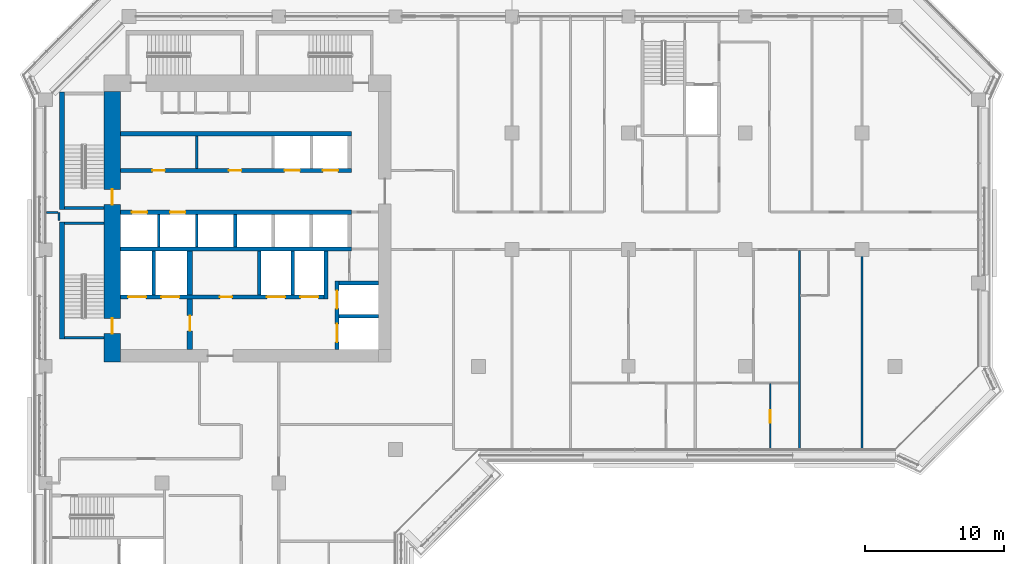
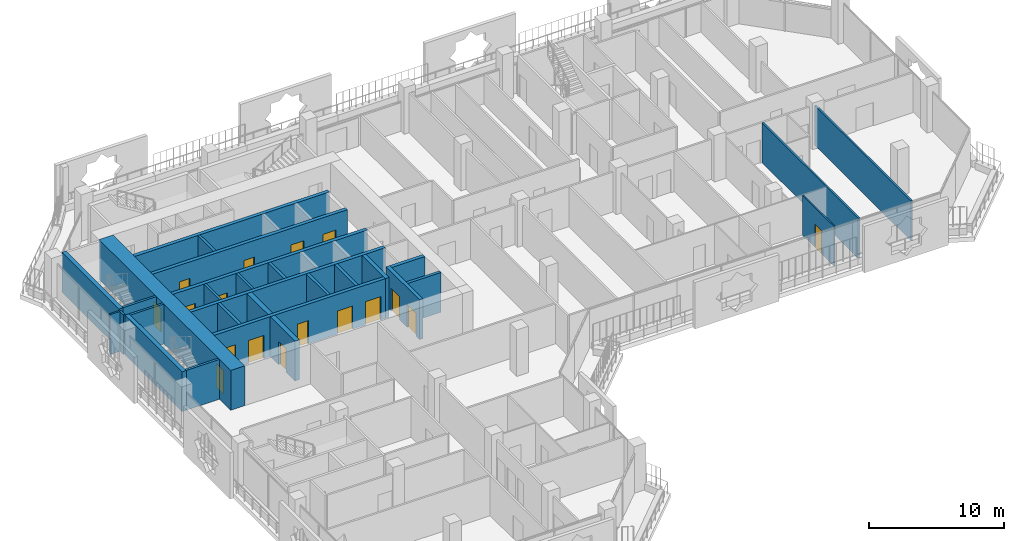
# One storey, part 11 of 22: 29 walls, 17 doors, 17 openings.
"""IFC4 building model written with IfcOpenShell, lengths in metres."""

from ifc_helpers import new_model, si_unit, direction, frame, frame_2d, origin, place, context, subcontext, project, spatial, rectangle, extrude, material, layer, layer_set, type_object, element, fill, save


model = new_model("IFC4")

# Units and contexts
model_context = context("Model", 3, precision=1e-05, world=origin(), true_north=direction((0.0, 1.0)))
body_context = subcontext(model_context, "Body", "Model", "MODEL_VIEW")
ifc_project = project(units=[si_unit("LENGTHUNIT", "METRE"), si_unit("AREAUNIT", "SQUARE_METRE"), si_unit("VOLUMEUNIT", "CUBIC_METRE"), si_unit("PLANEANGLEUNIT", "RADIAN"), si_unit("MASSUNIT", "GRAM", prefix="KILO")], contexts=[model_context])

# Site, building, storey
site_placement = place(None, origin())
site = spatial("IfcSite", under=ifc_project, at=site_placement, CompositionType="ELEMENT")
building_placement = place(site_placement, origin())
building = spatial("IfcBuilding", under=site, at=building_placement, Name="Kawkab Arch Medical Tower", CompositionType="ELEMENT")
storey_placement = place(building_placement, frame((0.0, 0.0, 183.60009765625)))
storey = spatial("IfcBuildingStorey", under=building, at=storey_placement, Name="L42", CompositionType="ELEMENT", Elevation=183.60009765625)

# Wall, openings, doors
ifc_material_1 = material(Name="Concrete C55/67", Category="concrete")
ifc_layer_1 = layer(ifc_material_1, 1.199951171875)
ifc_layer_set_1 = layer_set([ifc_layer_1], Name="Concrete C55/67")
wall_type_1 = type_object("IfcWallType", Name="Core ring wall 1200 C55/67", PredefinedType="SHEAR", material=ifc_layer_set_1)
wall_1_placement = place(storey_placement, frame((4.800048828125, -24.89990234375, 0.0), z_axis=(0.0, 0.0, 1.0), x_axis=(0.0, 1.0, 0.0)))
wall_1 = element("IfcWall", 1, at=wall_1_placement, inside=storey, type_object=wall_type_1, Name="L42 core wall", PredefinedType="SHEAR", context=body_context, shape_type="SweptSolid", body=[
    extrude(rectangle(XDim=19.5, YDim=1.199951171875, at=frame_2d((9.75, 0.0))), origin(), (0.0, 0.0, 1.0), 3.599853515625),
])
opening_1_placement = place(wall_1_placement, frame((11.35009765625, 0.0, 0.0)))
opening_1 = element("IfcOpeningElement", 2, at=opening_1_placement, cuts=wall_1, Name="Opening SD", PredefinedType="OPENING", context=body_context, shape_type="SweptSolid", body=[
    extrude(rectangle(XDim=1.10009765625, YDim=2.10009765625, at=frame_2d((0.550048828125, 1.050048828125))), frame((0.0, 0.60986328125, 0.0), z_axis=(0.0, -1.0, 0.0), x_axis=(1.0, 0.0, 0.0)), (0.0, 0.0, 1.0), 1.219970703125),
])
opening_2_placement = place(wall_1_placement, frame((2.050048828125, 0.0, 0.0)))
opening_2 = element("IfcOpeningElement", 3, at=opening_2_placement, cuts=wall_1, Name="Opening SD", PredefinedType="OPENING", context=body_context, shape_type="SweptSolid", body=[
    extrude(rectangle(XDim=1.10009765625, YDim=2.10009765625, at=frame_2d((0.550048828125, 1.050048828125))), frame((0.0, 0.60986328125, 0.0), z_axis=(0.0, -1.0, 0.0), x_axis=(1.0, 0.0, 0.0)), (0.0, 0.0, 1.0), 1.219970703125),
])
ifc_material_2 = material(Name="Hollow metal fire door leaf")
door_type_1 = type_object("IfcDoorType", Name="Exit stair door 1100", OperationType="SINGLE_SWING_LEFT", PredefinedType="DOOR", material=ifc_material_2)
door_1_placement = place(opening_1_placement, origin())
door_1 = element("IfcDoor", 4, at=door_1_placement, inside=storey, type_object=door_type_1, Name="L42 Exit stair ST1 door", OperationType="SINGLE_SWING_LEFT", OverallHeight=2.10009765625, OverallWidth=1.10009765625, PredefinedType="DOOR", context=body_context, shape_type="SweptSolid", body=[
    extrude(rectangle(XDim=1.10009765625, YDim=2.10009765625, at=frame_2d((0.550048828125, 1.050048828125))), frame((0.0, 0.02490234375, 0.0), z_axis=(0.0, -1.0, 0.0), x_axis=(1.0, 0.0, 0.0)), (0.0, 0.0, 1.0), 0.050048828125),
])
fill(opening_1, door_1)
door_2_placement = place(opening_2_placement, origin())
door_2 = element("IfcDoor", 5, at=door_2_placement, inside=storey, type_object=door_type_1, Name="L42 Exit stair ST2 door", OperationType="SINGLE_SWING_LEFT", OverallHeight=2.10009765625, OverallWidth=1.10009765625, PredefinedType="DOOR", context=body_context, shape_type="SweptSolid", body=[
    extrude(rectangle(XDim=1.10009765625, YDim=2.10009765625, at=frame_2d((0.550048828125, 1.050048828125))), frame((0.0, 0.02490234375, 0.0), z_axis=(0.0, -1.0, 0.0), x_axis=(1.0, 0.0, 0.0)), (0.0, 0.0, 1.0), 0.050048828125),
])
fill(opening_2, door_2)

# Walls
ifc_material_3 = material(Name="Concrete C60/75", Category="concrete")
ifc_layer_2 = layer(ifc_material_3, 0.25)
ifc_layer_set_2 = layer_set([ifc_layer_2], Name="Concrete C60/75")
wall_type_2 = type_object("IfcWallType", Name="Core shear wall 250 C60/75", PredefinedType="SHEAR", material=ifc_layer_set_2)
wall_2_placement = place(storey_placement, frame((21.14990234375, -21.60009765625, 0.0), z_axis=(0.0, 0.0, 1.0), x_axis=(1.0, 0.0, 0.0)))
element("IfcWall", 6, at=wall_2_placement, inside=storey, type_object=wall_type_2, Name="L42 core shear wall", PredefinedType="SHEAR", context=body_context, shape_type="SweptSolid", body=[
    extrude(rectangle(XDim=2.85009765625, YDim=0.25, at=frame_2d((1.425048828125, 0.0))), origin(), (0.0, 0.0, 1.0), 3.599853515625),
])
for number, where, z_axis, x_axis, name in (
    (7, (7.800048828125, -20.050048828125, 0.0), (0.0, 0.0, 1.0), (0.0, 1.0, 0.0), "L42 core shear wall"),
    (8, (15.39990234375, -20.050048828125, 0.0), (0.0, 0.0, 1.0), (0.0, 1.0, 0.0), "L42 core shear wall"),
    (9, (17.800048828125, -20.050048828125, 0.0), (0.0, 0.0, 1.0), (0.0, 1.0, 0.0), "L42 core shear wall"),
):
    element("IfcWall", number, at=place(storey_placement, frame(where, z_axis=z_axis, x_axis=x_axis)), inside=storey, type_object=wall_type_2, Name=name, PredefinedType="SHEAR", context=body_context, shape_type="SweptSolid", body=[
        extrude(rectangle(XDim=3.150146484375, YDim=0.25, at=frame_2d((1.5751953125, 0.0))), origin(), (0.0, 0.0, 1.0), 3.599853515625),
    ])
wall_3_placement = place(storey_placement, frame((13.64990234375, -16.60009765625, 0.0), z_axis=(0.0, 0.0, 1.0), x_axis=(0.0, 1.0, 0.0)))
element("IfcWall", 10, at=wall_3_placement, inside=storey, type_object=wall_type_2, Name="L42 core shear wall", PredefinedType="SHEAR", context=body_context, shape_type="SweptSolid", body=[
    extrude(rectangle(XDim=2.35009765625, YDim=0.25, at=frame_2d((1.175048828125, 0.0))), origin(), (0.0, 0.0, 1.0), 3.599853515625),
])
ifc_material_4 = material(Name="Concrete C60/75", Category="concrete")
ifc_layer_3 = layer(ifc_material_4, 0.300048828125)
ifc_layer_set_3 = layer_set([ifc_layer_3], Name="Concrete C60/75")
wall_type_3 = type_object("IfcWallType", Name="Core shear wall 300 C60/75", PredefinedType="SHEAR", material=ifc_layer_set_3)
wall_4_placement = place(storey_placement, frame((5.39990234375, -8.449951171875, 0.0), z_axis=(0.0, 0.0, 1.0), x_axis=(1.0, 0.0, 0.0)))
element("IfcWall", 11, at=wall_4_placement, inside=storey, type_object=wall_type_3, Name="L42 core shear wall", PredefinedType="SHEAR", context=body_context, shape_type="SweptSolid", body=[
    extrude(rectangle(XDim=16.650146484375, YDim=0.300048828125, at=frame_2d((8.3251953125, 0.0))), origin(), (0.0, 0.0, 1.0), 3.599853515625),
])

# Wall, openings, doors
wall_5_placement = place(storey_placement, frame((5.39990234375, -11.10009765625, 0.0), z_axis=(0.0, 0.0, 1.0), x_axis=(1.0, 0.0, 0.0)))
wall_5 = element("IfcWall", 12, at=wall_5_placement, inside=storey, type_object=wall_type_3, Name="L42 core shear wall", PredefinedType="SHEAR", context=body_context, shape_type="SweptSolid", body=[
    extrude(rectangle(XDim=16.650146484375, YDim=0.300048828125, at=frame_2d((8.3251953125, 0.0))), origin(), (0.0, 0.0, 1.0), 3.599853515625),
])
opening_3_placement = place(wall_5_placement, frame((11.824951171875, 0.0, 0.0)))
opening_3 = element("IfcOpeningElement", 13, at=opening_3_placement, cuts=wall_5, Name="Opening LD1", PredefinedType="OPENING", context=body_context, shape_type="SweptSolid", body=[
    extrude(rectangle(XDim=1.10009765625, YDim=2.10009765625, at=frame_2d((0.550048828125, 1.050048828125))), frame((0.0, 0.159912109375, 0.0), z_axis=(0.0, -1.0, 0.0), x_axis=(1.0, 0.0, 0.0)), (0.0, 0.0, 1.0), 0.320068359375),
])
opening_4_placement = place(wall_5_placement, frame((14.574951171875, 0.0, 0.0)))
opening_4 = element("IfcOpeningElement", 14, at=opening_4_placement, cuts=wall_5, Name="Opening LD1", PredefinedType="OPENING", context=body_context, shape_type="SweptSolid", body=[
    extrude(rectangle(XDim=1.10009765625, YDim=2.10009765625, at=frame_2d((0.550048828125, 1.050048828125))), frame((0.0, 0.159912109375, 0.0), z_axis=(0.0, -1.0, 0.0), x_axis=(1.0, 0.0, 0.0)), (0.0, 0.0, 1.0), 0.320068359375),
])
opening_5_placement = place(wall_5_placement, frame((2.300048828125, 0.0, 0.0)))
opening_5 = element("IfcOpeningElement", 15, at=opening_5_placement, cuts=wall_5, Name="Opening RD", PredefinedType="OPENING", context=body_context, shape_type="SweptSolid", body=[
    extrude(rectangle(XDim=0.89990234375, YDim=2.10009765625, at=frame_2d((0.449951171875, 1.050048828125))), frame((0.0, 0.159912109375, 0.0), z_axis=(0.0, -1.0, 0.0), x_axis=(1.0, 0.0, 0.0)), (0.0, 0.0, 1.0), 0.320068359375),
])
opening_6_placement = place(wall_5_placement, frame((7.800048828125, 0.0, 0.0)))
opening_6 = element("IfcOpeningElement", 16, at=opening_6_placement, cuts=wall_5, Name="Opening RD", PredefinedType="OPENING", context=body_context, shape_type="SweptSolid", body=[
    extrude(rectangle(XDim=0.89990234375, YDim=2.10009765625, at=frame_2d((0.449951171875, 1.050048828125))), frame((0.0, 0.159912109375, 0.0), z_axis=(0.0, -1.0, 0.0), x_axis=(1.0, 0.0, 0.0)), (0.0, 0.0, 1.0), 0.320068359375),
])
ifc_material_5 = material(Name="Hollow metal fire door leaf")
door_type_2 = type_object("IfcDoorType", Name="Core room door 900", OperationType="SINGLE_SWING_LEFT", PredefinedType="DOOR", material=ifc_material_5)
door_3_placement = place(opening_5_placement, origin())
door_3 = element("IfcDoor", 17, at=door_3_placement, inside=storey, type_object=door_type_2, Name="L42 Ward pantry door", OperationType="SINGLE_SWING_LEFT", OverallHeight=2.10009765625, OverallWidth=0.89990234375, PredefinedType="DOOR", context=body_context, shape_type="SweptSolid", body=[
    extrude(rectangle(XDim=0.89990234375, YDim=2.10009765625, at=frame_2d((0.449951171875, 1.050048828125))), frame((0.0, 0.02490234375, 0.0), z_axis=(0.0, -1.0, 0.0), x_axis=(1.0, 0.0, 0.0)), (0.0, 0.0, 1.0), 0.050048828125),
])
fill(opening_5, door_3)
door_4_placement = place(opening_6_placement, origin())
door_4 = element("IfcDoor", 18, at=door_4_placement, inside=storey, type_object=door_type_2, Name="L42 Comms room door", OperationType="SINGLE_SWING_LEFT", OverallHeight=2.10009765625, OverallWidth=0.89990234375, PredefinedType="DOOR", context=body_context, shape_type="SweptSolid", body=[
    extrude(rectangle(XDim=0.89990234375, YDim=2.10009765625, at=frame_2d((0.449951171875, 1.050048828125))), frame((0.0, 0.02490234375, 0.0), z_axis=(0.0, -1.0, 0.0), x_axis=(1.0, 0.0, 0.0)), (0.0, 0.0, 1.0), 0.050048828125),
])
fill(opening_6, door_4)
ifc_material_6 = material(Name="Stainless steel lift door leaf", Category="steel")
door_type_3 = type_object("IfcDoorType", Name="Lift landing door 1100", OperationType="DOUBLE_DOOR_SLIDING", PredefinedType="DOOR", material=ifc_material_6)
door_5_placement = place(opening_3_placement, origin())
door_5 = element("IfcDoor", 19, at=door_5_placement, inside=storey, type_object=door_type_3, Name="L42 Lift landing door MP1", OperationType="DOUBLE_DOOR_SLIDING", OverallHeight=2.10009765625, OverallWidth=1.10009765625, PredefinedType="DOOR", context=body_context, shape_type="SweptSolid", body=[
    extrude(rectangle(XDim=1.10009765625, YDim=2.10009765625, at=frame_2d((0.550048828125, 1.050048828125))), frame((0.0, 0.02490234375, 0.0), z_axis=(0.0, -1.0, 0.0), x_axis=(1.0, 0.0, 0.0)), (0.0, 0.0, 1.0), 0.050048828125),
])
fill(opening_3, door_5)
door_6_placement = place(opening_4_placement, origin())
door_6 = element("IfcDoor", 20, at=door_6_placement, inside=storey, type_object=door_type_3, Name="L42 Lift landing door MP2", OperationType="DOUBLE_DOOR_SLIDING", OverallHeight=2.10009765625, OverallWidth=1.10009765625, PredefinedType="DOOR", context=body_context, shape_type="SweptSolid", body=[
    extrude(rectangle(XDim=1.10009765625, YDim=2.10009765625, at=frame_2d((0.550048828125, 1.050048828125))), frame((0.0, 0.02490234375, 0.0), z_axis=(0.0, -1.0, 0.0), x_axis=(1.0, 0.0, 0.0)), (0.0, 0.0, 1.0), 0.050048828125),
])
fill(opening_4, door_6)

wall_6_placement = place(storey_placement, frame((5.39990234375, -14.10009765625, 0.0), z_axis=(0.0, 0.0, 1.0), x_axis=(1.0, 0.0, 0.0)))
wall_6 = element("IfcWall", 21, at=wall_6_placement, inside=storey, type_object=wall_type_3, Name="L42 core shear wall", PredefinedType="SHEAR", context=body_context, shape_type="SweptSolid", body=[
    extrude(rectangle(XDim=16.650146484375, YDim=0.300048828125, at=frame_2d((8.3251953125, 0.0))), origin(), (0.0, 0.0, 1.0), 3.599853515625),
])
opening_7_placement = place(wall_6_placement, frame((0.824951171875, 0.0, 0.0)))
opening_7 = element("IfcOpeningElement", 22, at=opening_7_placement, cuts=wall_6, Name="Opening LD1", PredefinedType="OPENING", context=body_context, shape_type="SweptSolid", body=[
    extrude(rectangle(XDim=1.10009765625, YDim=2.10009765625, at=frame_2d((0.550048828125, 1.050048828125))), frame((0.0, 0.159912109375, 0.0), z_axis=(0.0, -1.0, 0.0), x_axis=(1.0, 0.0, 0.0)), (0.0, 0.0, 1.0), 0.320068359375),
])
opening_8_placement = place(wall_6_placement, frame((3.574951171875, 0.0, 0.0)))
opening_8 = element("IfcOpeningElement", 23, at=opening_8_placement, cuts=wall_6, Name="Opening LD1", PredefinedType="OPENING", context=body_context, shape_type="SweptSolid", body=[
    extrude(rectangle(XDim=1.10009765625, YDim=2.10009765625, at=frame_2d((0.550048828125, 1.050048828125))), frame((0.0, 0.159912109375, 0.0), z_axis=(0.0, -1.0, 0.0), x_axis=(1.0, 0.0, 0.0)), (0.0, 0.0, 1.0), 0.320068359375),
])
door_7_placement = place(opening_7_placement, origin())
door_7 = element("IfcDoor", 24, at=door_7_placement, inside=storey, type_object=door_type_3, Name="L42 Lift landing door MP3", OperationType="DOUBLE_DOOR_SLIDING", OverallHeight=2.10009765625, OverallWidth=1.10009765625, PredefinedType="DOOR", context=body_context, shape_type="SweptSolid", body=[
    extrude(rectangle(XDim=1.10009765625, YDim=2.10009765625, at=frame_2d((0.550048828125, 1.050048828125))), frame((0.0, 0.02490234375, 0.0), z_axis=(0.0, -1.0, 0.0), x_axis=(1.0, 0.0, 0.0)), (0.0, 0.0, 1.0), 0.050048828125),
])
fill(opening_7, door_7)
door_8_placement = place(opening_8_placement, origin())
door_8 = element("IfcDoor", 25, at=door_8_placement, inside=storey, type_object=door_type_3, Name="L42 Lift landing door MP4", OperationType="DOUBLE_DOOR_SLIDING", OverallHeight=2.10009765625, OverallWidth=1.10009765625, PredefinedType="DOOR", context=body_context, shape_type="SweptSolid", body=[
    extrude(rectangle(XDim=1.10009765625, YDim=2.10009765625, at=frame_2d((0.550048828125, 1.050048828125))), frame((0.0, 0.02490234375, 0.0), z_axis=(0.0, -1.0, 0.0), x_axis=(1.0, 0.0, 0.0)), (0.0, 0.0, 1.0), 0.050048828125),
])
fill(opening_8, door_8)

# Wall
wall_7_placement = place(storey_placement, frame((5.39990234375, -16.75, 0.0), z_axis=(0.0, 0.0, 1.0), x_axis=(1.0, 0.0, 0.0)))
element("IfcWall", 26, at=wall_7_placement, inside=storey, type_object=wall_type_3, Name="L42 core shear wall", PredefinedType="SHEAR", context=body_context, shape_type="SweptSolid", body=[
    extrude(rectangle(XDim=16.650146484375, YDim=0.300048828125, at=frame_2d((8.3251953125, 0.0))), origin(), (0.0, 0.0, 1.0), 3.599853515625),
])

# Wall, openings, doors
wall_8_placement = place(storey_placement, frame((5.39990234375, -20.199951171875, 0.0), z_axis=(0.0, 0.0, 1.0), x_axis=(1.0, 0.0, 0.0)))
wall_8 = element("IfcWall", 27, at=wall_8_placement, inside=storey, type_object=wall_type_3, Name="L42 core shear wall", PredefinedType="SHEAR", context=body_context, shape_type="SweptSolid", body=[
    extrude(rectangle(XDim=14.650146484375, YDim=0.300048828125, at=frame_2d((7.3251953125, 0.0))), origin(), (0.0, 0.0, 1.0), 3.599853515625),
])
opening_9_placement = place(wall_8_placement, frame((10.550048828125, 0.0, 0.0)))
opening_9 = element("IfcOpeningElement", 28, at=opening_9_placement, cuts=wall_8, Name="Opening LD2", PredefinedType="OPENING", context=body_context, shape_type="SweptSolid", body=[
    extrude(rectangle(XDim=1.300048828125, YDim=2.10009765625, at=frame_2d((0.64990234375, 1.050048828125))), frame((0.0, 0.159912109375, 0.0), z_axis=(0.0, -1.0, 0.0), x_axis=(1.0, 0.0, 0.0)), (0.0, 0.0, 1.0), 0.320068359375),
])
opening_10_placement = place(wall_8_placement, frame((12.949951171875, 0.0, 0.0)))
opening_10 = element("IfcOpeningElement", 29, at=opening_10_placement, cuts=wall_8, Name="Opening LD2", PredefinedType="OPENING", context=body_context, shape_type="SweptSolid", body=[
    extrude(rectangle(XDim=1.300048828125, YDim=2.10009765625, at=frame_2d((0.64990234375, 1.050048828125))), frame((0.0, 0.159912109375, 0.0), z_axis=(0.0, -1.0, 0.0), x_axis=(1.0, 0.0, 0.0)), (0.0, 0.0, 1.0), 0.320068359375),
])
opening_11_placement = place(wall_8_placement, frame((0.550048828125, 0.0, 0.0)))
opening_11 = element("IfcOpeningElement", 30, at=opening_11_placement, cuts=wall_8, Name="Opening LD2", PredefinedType="OPENING", context=body_context, shape_type="SweptSolid", body=[
    extrude(rectangle(XDim=1.300048828125, YDim=2.10009765625, at=frame_2d((0.64990234375, 1.050048828125))), frame((0.0, 0.159912109375, 0.0), z_axis=(0.0, -1.0, 0.0), x_axis=(1.0, 0.0, 0.0)), (0.0, 0.0, 1.0), 0.320068359375),
])
opening_12_placement = place(wall_8_placement, frame((2.949951171875, 0.0, 0.0)))
opening_12 = element("IfcOpeningElement", 31, at=opening_12_placement, cuts=wall_8, Name="Opening LD2", PredefinedType="OPENING", context=body_context, shape_type="SweptSolid", body=[
    extrude(rectangle(XDim=1.300048828125, YDim=2.10009765625, at=frame_2d((0.64990234375, 1.050048828125))), frame((0.0, 0.159912109375, 0.0), z_axis=(0.0, -1.0, 0.0), x_axis=(1.0, 0.0, 0.0)), (0.0, 0.0, 1.0), 0.320068359375),
])
opening_13_placement = place(wall_8_placement, frame((7.14990234375, 0.0, 0.0)))
opening_13 = element("IfcOpeningElement", 32, at=opening_13_placement, cuts=wall_8, Name="Opening RD", PredefinedType="OPENING", context=body_context, shape_type="SweptSolid", body=[
    extrude(rectangle(XDim=0.89990234375, YDim=2.10009765625, at=frame_2d((0.449951171875, 1.050048828125))), frame((0.0, 0.159912109375, 0.0), z_axis=(0.0, -1.0, 0.0), x_axis=(1.0, 0.0, 0.0)), (0.0, 0.0, 1.0), 0.320068359375),
])
door_9_placement = place(opening_13_placement, origin())
door_9 = element("IfcDoor", 33, at=door_9_placement, inside=storey, type_object=door_type_2, Name="L42 Housekeeping store door", OperationType="SINGLE_SWING_LEFT", OverallHeight=2.10009765625, OverallWidth=0.89990234375, PredefinedType="DOOR", context=body_context, shape_type="SweptSolid", body=[
    extrude(rectangle(XDim=0.89990234375, YDim=2.10009765625, at=frame_2d((0.449951171875, 1.050048828125))), frame((0.0, 0.02490234375, 0.0), z_axis=(0.0, -1.0, 0.0), x_axis=(1.0, 0.0, 0.0)), (0.0, 0.0, 1.0), 0.050048828125),
])
fill(opening_13, door_9)
ifc_material_7 = material(Name="Stainless steel lift door leaf", Category="steel")
door_type_4 = type_object("IfcDoorType", Name="Lift landing door 1300", OperationType="DOUBLE_DOOR_SLIDING", PredefinedType="DOOR", material=ifc_material_7)
door_10_placement = place(opening_9_placement, origin())
door_10 = element("IfcDoor", 34, at=door_10_placement, inside=storey, type_object=door_type_4, Name="L42 Lift landing door BD3", OperationType="DOUBLE_DOOR_SLIDING", OverallHeight=2.10009765625, OverallWidth=1.300048828125, PredefinedType="DOOR", context=body_context, shape_type="SweptSolid", body=[
    extrude(rectangle(XDim=1.300048828125, YDim=2.10009765625, at=frame_2d((0.64990234375, 1.050048828125))), frame((0.0, 0.02490234375, 0.0), z_axis=(0.0, -1.0, 0.0), x_axis=(1.0, 0.0, 0.0)), (0.0, 0.0, 1.0), 0.050048828125),
])
fill(opening_9, door_10)
door_11_placement = place(opening_10_placement, origin())
door_11 = element("IfcDoor", 35, at=door_11_placement, inside=storey, type_object=door_type_4, Name="L42 Lift landing door BD4", OperationType="DOUBLE_DOOR_SLIDING", OverallHeight=2.10009765625, OverallWidth=1.300048828125, PredefinedType="DOOR", context=body_context, shape_type="SweptSolid", body=[
    extrude(rectangle(XDim=1.300048828125, YDim=2.10009765625, at=frame_2d((0.64990234375, 1.050048828125))), frame((0.0, 0.02490234375, 0.0), z_axis=(0.0, -1.0, 0.0), x_axis=(1.0, 0.0, 0.0)), (0.0, 0.0, 1.0), 0.050048828125),
])
fill(opening_10, door_11)
door_12_placement = place(opening_11_placement, origin())
door_12 = element("IfcDoor", 36, at=door_12_placement, inside=storey, type_object=door_type_4, Name="L42 Lift landing door FL1", OperationType="DOUBLE_DOOR_SLIDING", OverallHeight=2.10009765625, OverallWidth=1.300048828125, PredefinedType="DOOR", context=body_context, shape_type="SweptSolid", body=[
    extrude(rectangle(XDim=1.300048828125, YDim=2.10009765625, at=frame_2d((0.64990234375, 1.050048828125))), frame((0.0, 0.02490234375, 0.0), z_axis=(0.0, -1.0, 0.0), x_axis=(1.0, 0.0, 0.0)), (0.0, 0.0, 1.0), 0.050048828125),
])
fill(opening_11, door_12)
door_13_placement = place(opening_12_placement, origin())
door_13 = element("IfcDoor", 37, at=door_13_placement, inside=storey, type_object=door_type_4, Name="L42 Lift landing door FL2", OperationType="DOUBLE_DOOR_SLIDING", OverallHeight=2.10009765625, OverallWidth=1.300048828125, PredefinedType="DOOR", context=body_context, shape_type="SweptSolid", body=[
    extrude(rectangle(XDim=1.300048828125, YDim=2.10009765625, at=frame_2d((0.64990234375, 1.050048828125))), frame((0.0, 0.02490234375, 0.0), z_axis=(0.0, -1.0, 0.0), x_axis=(1.0, 0.0, 0.0)), (0.0, 0.0, 1.0), 0.050048828125),
])
fill(opening_12, door_13)

# Walls
wall_9_placement = place(storey_placement, frame((20.199951171875, -20.35009765625, 0.0), z_axis=(0.0, 0.0, 1.0), x_axis=(0.0, 1.0, 0.0)))
element("IfcWall", 38, at=wall_9_placement, inside=storey, type_object=wall_type_3, Name="L42 core shear wall", PredefinedType="SHEAR", context=body_context, shape_type="SweptSolid", body=[
    extrude(rectangle(XDim=3.4501953125, YDim=0.300048828125, at=frame_2d((1.72509765625, 0.0))), origin(), (0.0, 0.0, 1.0), 3.599853515625),
])
wall_10_placement = place(storey_placement, frame((21.14990234375, -19.199951171875, 0.0), z_axis=(0.0, 0.0, 1.0), x_axis=(1.0, 0.0, 0.0)))
element("IfcWall", 39, at=wall_10_placement, inside=storey, type_object=wall_type_3, Name="L42 core shear wall", PredefinedType="SHEAR", context=body_context, shape_type="SweptSolid", body=[
    extrude(rectangle(XDim=2.85009765625, YDim=0.300048828125, at=frame_2d((1.425048828125, 0.0))), origin(), (0.0, 0.0, 1.0), 3.599853515625),
])

# Wall, openings, doors
wall_11_placement = place(storey_placement, frame((21.0, -24.0, 0.0), z_axis=(0.0, 0.0, 1.0), x_axis=(0.0, 1.0, 0.0)))
wall_11 = element("IfcWall", 40, at=wall_11_placement, inside=storey, type_object=wall_type_3, Name="L42 core shear wall", PredefinedType="SHEAR", context=body_context, shape_type="SweptSolid", body=[
    extrude(rectangle(XDim=4.949951171875, YDim=0.300048828125, at=frame_2d((2.47509765625, 0.0))), origin(), (0.0, 0.0, 1.0), 3.599853515625),
])
opening_14_placement = place(wall_11_placement, frame((2.949951171875, 0.0, 0.0)))
opening_14 = element("IfcOpeningElement", 41, at=opening_14_placement, cuts=wall_11, Name="Opening LD2", PredefinedType="OPENING", context=body_context, shape_type="SweptSolid", body=[
    extrude(rectangle(XDim=1.300048828125, YDim=2.10009765625, at=frame_2d((0.64990234375, 1.050048828125))), frame((0.0, 0.159912109375, 0.0), z_axis=(0.0, -1.0, 0.0), x_axis=(1.0, 0.0, 0.0)), (0.0, 0.0, 1.0), 0.320068359375),
])
opening_15_placement = place(wall_11_placement, frame((0.550048828125, 0.0, 0.0)))
opening_15 = element("IfcOpeningElement", 42, at=opening_15_placement, cuts=wall_11, Name="Opening LD2", PredefinedType="OPENING", context=body_context, shape_type="SweptSolid", body=[
    extrude(rectangle(XDim=1.300048828125, YDim=2.10009765625, at=frame_2d((0.64990234375, 1.050048828125))), frame((0.0, 0.159912109375, 0.0), z_axis=(0.0, -1.0, 0.0), x_axis=(1.0, 0.0, 0.0)), (0.0, 0.0, 1.0), 0.320068359375),
])
door_14_placement = place(opening_14_placement, origin())
door_14 = element("IfcDoor", 43, at=door_14_placement, inside=storey, type_object=door_type_4, Name="L42 Lift landing door BD1", OperationType="DOUBLE_DOOR_SLIDING", OverallHeight=2.10009765625, OverallWidth=1.300048828125, PredefinedType="DOOR", context=body_context, shape_type="SweptSolid", body=[
    extrude(rectangle(XDim=1.300048828125, YDim=2.10009765625, at=frame_2d((0.64990234375, 1.050048828125))), frame((0.0, 0.02490234375, 0.0), z_axis=(0.0, -1.0, 0.0), x_axis=(1.0, 0.0, 0.0)), (0.0, 0.0, 1.0), 0.050048828125),
])
fill(opening_14, door_14)
door_15_placement = place(opening_15_placement, origin())
door_15 = element("IfcDoor", 44, at=door_15_placement, inside=storey, type_object=door_type_4, Name="L42 Lift landing door BD2", OperationType="DOUBLE_DOOR_SLIDING", OverallHeight=2.10009765625, OverallWidth=1.300048828125, PredefinedType="DOOR", context=body_context, shape_type="SweptSolid", body=[
    extrude(rectangle(XDim=1.300048828125, YDim=2.10009765625, at=frame_2d((0.64990234375, 1.050048828125))), frame((0.0, 0.02490234375, 0.0), z_axis=(0.0, -1.0, 0.0), x_axis=(1.0, 0.0, 0.0)), (0.0, 0.0, 1.0), 0.050048828125),
])
fill(opening_15, door_15)

# Wall, opening, door
ifc_material_8 = material(Name="Concrete C60/75", Category="concrete")
ifc_layer_4 = layer(ifc_material_8, 0.39990234375)
ifc_layer_set_4 = layer_set([ifc_layer_4], Name="Concrete C60/75")
wall_type_4 = type_object("IfcWallType", Name="Core shear wall 400 C60/75", PredefinedType="SHEAR", material=ifc_layer_set_4)
wall_12_placement = place(storey_placement, frame((10.39990234375, -24.0, 0.0), z_axis=(0.0, 0.0, 1.0), x_axis=(0.0, 1.0, 0.0)))
wall_12 = element("IfcWall", 45, at=wall_12_placement, inside=storey, type_object=wall_type_4, Name="L42 core shear wall", PredefinedType="SHEAR", context=body_context, shape_type="SweptSolid", body=[
    extrude(rectangle(XDim=3.64990234375, YDim=0.39990234375, at=frame_2d((1.824951171875, 0.0))), origin(), (0.0, 0.0, 1.0), 3.599853515625),
])
opening_16_placement = place(wall_12_placement, frame((1.35009765625, 0.0, 0.0)))
opening_16 = element("IfcOpeningElement", 46, at=opening_16_placement, cuts=wall_12, Name="Opening FD", PredefinedType="OPENING", context=body_context, shape_type="SweptSolid", body=[
    extrude(rectangle(XDim=1.10009765625, YDim=2.10009765625, at=frame_2d((0.550048828125, 1.050048828125))), frame((0.0, 0.2099609375, 0.0), z_axis=(0.0, -1.0, 0.0), x_axis=(1.0, 0.0, 0.0)), (0.0, 0.0, 1.0), 0.419921875),
])
ifc_material_9 = material(Name="Hollow metal fire door leaf")
door_type_5 = type_object("IfcDoorType", Name="Firefighting lobby door 1100", OperationType="SINGLE_SWING_LEFT", PredefinedType="DOOR", material=ifc_material_9)
door_16_placement = place(opening_16_placement, origin())
door_16 = element("IfcDoor", 47, at=door_16_placement, inside=storey, type_object=door_type_5, Name="L42 Firefighting lobby door", OperationType="SINGLE_SWING_LEFT", OverallHeight=2.10009765625, OverallWidth=1.10009765625, PredefinedType="DOOR", context=body_context, shape_type="SweptSolid", body=[
    extrude(rectangle(XDim=1.10009765625, YDim=2.10009765625, at=frame_2d((0.550048828125, 1.050048828125))), frame((0.0, 0.02490234375, 0.0), z_axis=(0.0, -1.0, 0.0), x_axis=(1.0, 0.0, 0.0)), (0.0, 0.0, 1.0), 0.050048828125),
])
fill(opening_16, door_16)

# Walls
wall_13_placement = place(storey_placement, frame((10.39990234375, -20.050048828125, 0.0), z_axis=(0.0, 0.0, 1.0), x_axis=(0.0, 1.0, 0.0)))
element("IfcWall", 48, at=wall_13_placement, inside=storey, type_object=wall_type_4, Name="L42 core shear wall", PredefinedType="SHEAR", context=body_context, shape_type="SweptSolid", body=[
    extrude(rectangle(XDim=3.150146484375, YDim=0.39990234375, at=frame_2d((1.5751953125, 0.0))), origin(), (0.0, 0.0, 1.0), 3.599853515625),
])
ifc_material_10 = material(Name="Dense concrete blockwork", Category="masonry")
ifc_layer_5 = layer(ifc_material_10, 0.199951171875)
ifc_layer_set_5 = layer_set([ifc_layer_5], Name="Dense concrete blockwork")
wall_type_5 = type_object("IfcWallType", Name="Lift shaft partition 200", PredefinedType="PARTITIONING", material=ifc_layer_set_5)
wall_14_placement = place(storey_placement, frame((10.89990234375, -10.949951171875, 0.0), z_axis=(0.0, 0.0, 1.0), x_axis=(0.0, 1.0, 0.0)))
element("IfcWall", 49, at=wall_14_placement, inside=storey, type_object=wall_type_5, Name="L42 lift shaft partition", PredefinedType="PARTITIONING", context=body_context, shape_type="SweptSolid", body=[
    extrude(rectangle(XDim=2.349853515625, YDim=0.199951171875, at=frame_2d((1.1748046875, 0.0))), origin(), (0.0, 0.0, 1.0), 3.599853515625),
])
for number, where, z_axis, x_axis, name in (
    (50, (8.14990234375, -16.60009765625, 0.0), (0.0, 0.0, 1.0), (0.0, 1.0, 0.0), "L42 lift shaft partition"),
    (51, (10.89990234375, -16.60009765625, 0.0), (0.0, 0.0, 1.0), (0.0, 1.0, 0.0), "L42 lift shaft partition"),
):
    element("IfcWall", number, at=place(storey_placement, frame(where, z_axis=z_axis, x_axis=x_axis)), inside=storey, type_object=wall_type_5, Name=name, PredefinedType="PARTITIONING", context=body_context, shape_type="SweptSolid", body=[
        extrude(rectangle(XDim=2.35009765625, YDim=0.199951171875, at=frame_2d((1.175048828125, 0.0))), origin(), (0.0, 0.0, 1.0), 3.599853515625),
    ])

# Wall, opening, door
ifc_material_11 = material(Name="Gypsum board partition on steel studs", Category="steel")
ifc_layer_6 = layer(ifc_material_11, 0.10009765625)
ifc_layer_set_6 = layer_set([ifc_layer_6], Name="Gypsum board partition on steel studs")
wall_type_6 = type_object("IfcWallType", Name="Partition 100", PredefinedType="PARTITIONING", material=ifc_layer_set_6)
wall_15_placement = place(storey_placement, frame((52.199951171875, -31.1201171875, 0.0), z_axis=(0.0, 0.0, 1.0), x_axis=(0.0, 1.0, 0.0)))
wall_15 = element("IfcWall", 52, at=wall_15_placement, inside=storey, type_object=wall_type_6, Name="Partition 100 w009", PredefinedType="PARTITIONING", context=body_context, shape_type="SweptSolid", body=[
    extrude(rectangle(XDim=4.670166015625, YDim=0.10009765625, at=frame_2d((2.3349609375, 0.0))), origin(), (0.0, 0.0, 1.0), 3.599853515625),
])
opening_17_placement = place(wall_15_placement, frame((1.8701171875, 0.0, 0.0)))
opening_17 = element("IfcOpeningElement", 53, at=opening_17_placement, cuts=wall_15, Name="Opening W42-007", PredefinedType="OPENING", context=body_context, shape_type="SweptSolid", body=[
    extrude(rectangle(XDim=0.89990234375, YDim=2.10009765625, at=frame_2d((0.449951171875, 1.050048828125))), frame((0.0, 0.06005859375, 0.0), z_axis=(0.0, -1.0, 0.0), x_axis=(1.0, 0.0, 0.0)), (0.0, 0.0, 1.0), 0.1201171875),
])
ifc_material_12 = material(Name="Timber door leaf", Category="wood")
door_type_6 = type_object("IfcDoorType", Name="Single door 900x2100", OperationType="NOTDEFINED", PredefinedType="DOOR", material=ifc_material_12)
door_17_placement = place(opening_17_placement, origin())
door_17 = element("IfcDoor", 54, at=door_17_placement, inside=storey, type_object=door_type_6, Name="Door W42-007", OperationType="SINGLE_SWING_RIGHT", OverallHeight=2.10009765625, OverallWidth=0.89990234375, PredefinedType="DOOR", context=body_context, shape_type="SweptSolid", body=[
    extrude(rectangle(XDim=0.89990234375, YDim=2.10009765625, at=frame_2d((0.449951171875, 1.050048828125))), frame((0.0, 0.02490234375, 0.0), z_axis=(0.0, -1.0, 0.0), x_axis=(1.0, 0.0, 0.0)), (0.0, 0.0, 1.0), 0.050048828125),
])
fill(opening_17, door_17)

# Walls
ifc_material_13 = material(Name="Gypsum board partition on steel studs, mineral wool", Category="steel")
ifc_layer_7 = layer(ifc_material_13, 0.14990234375)
ifc_layer_set_7 = layer_set([ifc_layer_7], Name="Gypsum board partition on steel studs, mineral wool")
wall_type_7 = type_object("IfcWallType", Name="Partition 150", PredefinedType="PARTITIONING", material=ifc_layer_set_7)
wall_16_placement = place(storey_placement, frame((0.080078125, -14.1201171875, 0.0), z_axis=(0.0, 0.0, 1.0), x_axis=(1.0, 0.0, 0.0)))
element("IfcWall", 55, at=wall_16_placement, inside=storey, type_object=wall_type_7, Name="Partition 150 w023", PredefinedType="PARTITIONING", context=body_context, shape_type="SweptSolid", body=[
    extrude(rectangle(XDim=0.823974609375, YDim=0.14990234375, at=frame_2d((0.412109375, 0.0))), origin(), (0.0, 0.0, 1.0), 3.599853515625),
])
wall_17_placement = place(storey_placement, frame((0.97998046875, -14.699951171875, 0.0), z_axis=(0.0, 0.0, 1.0), x_axis=(0.0, 1.0, 0.0)))
element("IfcWall", 56, at=wall_17_placement, inside=storey, type_object=wall_type_7, Name="Partition 150 w032", PredefinedType="PARTITIONING", context=body_context, shape_type="SweptSolid", body=[
    extrude(rectangle(XDim=0.577880859375, YDim=0.14990234375, at=frame_2d((0.2890625, 0.0))), origin(), (0.0, 0.0, 1.0), 3.599853515625),
])
for number, where, z_axis, x_axis, name in (
    (57, (54.300048828125, -31.1201171875, 0.0), (0.0, 0.0, 1.0), (0.0, 1.0, 0.0), "Partition 150 w058"),
    (58, (58.800048828125, -31.1201171875, 0.0), (0.0, 0.0, 1.0), (0.0, 1.0, 0.0), "Partition 150 w060"),
):
    element("IfcWall", number, at=place(storey_placement, frame(where, z_axis=z_axis, x_axis=x_axis)), inside=storey, type_object=wall_type_7, Name=name, PredefinedType="PARTITIONING", context=body_context, shape_type="SweptSolid", body=[
        extrude(rectangle(XDim=14.2451171875, YDim=0.14990234375, at=frame_2d((7.12255859375, 0.0))), origin(), (0.0, 0.0, 1.0), 3.599853515625),
    ])
ifc_material_14 = material(Name="Concrete C50/60", Category="concrete")
ifc_layer_8 = layer(ifc_material_14, 0.199951171875)
ifc_layer_set_8 = layer_set([ifc_layer_8], Name="Concrete C50/60")
wall_type_8 = type_object("IfcWallType", Name="Stair enclosure wall 200 C50/60", PredefinedType="SHEAR", material=ifc_layer_set_8)
for number, where, z_axis, x_axis, name in (
    (59, (1.35009765625, -13.800048828125, 0.0), (0.0, 0.0, 1.0), (1.0, 0.0, 0.0), "L42 stair enclosure wall"),
    (60, (1.35009765625, -14.89990234375, 0.0), (0.0, 0.0, 1.0), (1.0, 0.0, 0.0), "L42 stair enclosure wall"),
    (61, (1.35009765625, -23.14990234375, 0.0), (0.0, 0.0, 1.0), (1.0, 0.0, 0.0), "L42 stair enclosure wall"),
):
    element("IfcWall", number, at=place(storey_placement, frame(where, z_axis=z_axis, x_axis=x_axis)), inside=storey, type_object=wall_type_8, Name=name, PredefinedType="SHEAR", context=body_context, shape_type="SweptSolid", body=[
        extrude(rectangle(XDim=2.849853515625, YDim=0.199951171875, at=frame_2d((1.4248046875, 0.0))), origin(), (0.0, 0.0, 1.0), 3.599853515625),
    ])
ifc_material_15 = material(Name="Concrete C50/60", Category="concrete")
ifc_layer_9 = layer(ifc_material_15, 0.35009765625)
ifc_layer_set_9 = layer_set([ifc_layer_9], Name="Concrete C50/60")
wall_type_9 = type_object("IfcWallType", Name="Stair enclosure wall 350 C50/60", PredefinedType="SHEAR", material=ifc_layer_set_9)
for number, where, z_axis, x_axis, name in (
    (62, (1.175048828125, -13.89990234375, 0.0), (0.0, 0.0, 1.0), (0.0, 1.0, 0.0), "L42 stair enclosure wall"),
    (63, (1.175048828125, -23.25, 0.0), (0.0, 0.0, 1.0), (0.0, 1.0, 0.0), "L42 stair enclosure wall"),
):
    element("IfcWall", number, at=place(storey_placement, frame(where, z_axis=z_axis, x_axis=x_axis)), inside=storey, type_object=wall_type_9, Name=name, PredefinedType="SHEAR", context=body_context, shape_type="SweptSolid", body=[
        extrude(rectangle(XDim=8.449951171875, YDim=0.35009765625, at=frame_2d((4.22509765625, 0.0))), origin(), (0.0, 0.0, 1.0), 3.599853515625),
    ])

save(model, "model.ifc")
